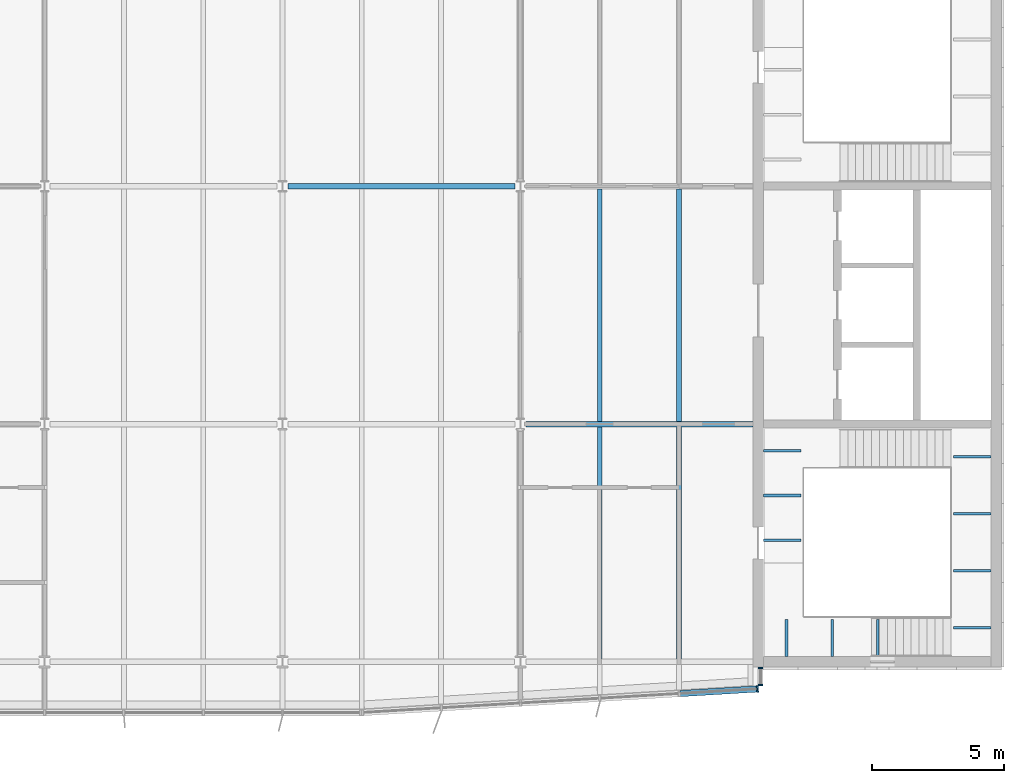
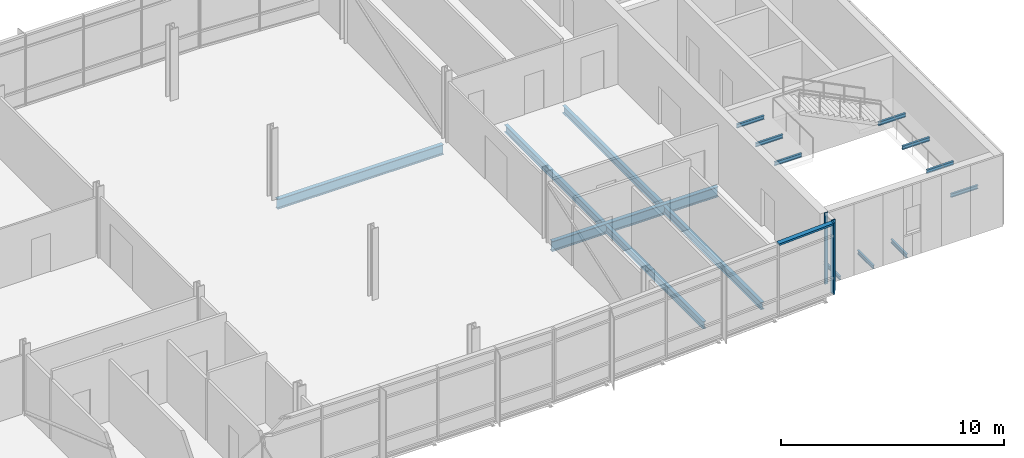
# One storey, part 6 of 20: 16 beams, 4 members, 2 elements without a shape of their own.
"""IFC4 building model written with IfcOpenShell, lengths in metres."""

from ifc_helpers import new_model, si_unit, direction, frame, origin, origin_2d, place, context, subcontext, project, spatial, rectangle, i_section, extrude, material, material_profile, profile_set, type_object, element, aggregate, save


model = new_model("IFC4")

# Units and contexts
model_context = context("Model", 3, precision=1e-05, world=origin(), true_north=direction((0.0, 1.0)))
body_context = subcontext(model_context, "Body", "Model", "MODEL_VIEW")
ifc_project = project(units=[si_unit("LENGTHUNIT", "METRE"), si_unit("AREAUNIT", "SQUARE_METRE"), si_unit("VOLUMEUNIT", "CUBIC_METRE"), si_unit("PLANEANGLEUNIT", "RADIAN"), si_unit("MASSUNIT", "GRAM", prefix="KILO")], contexts=[model_context])

# Site, building, storey
site_placement = place(None, origin())
site = spatial("IfcSite", under=ifc_project, at=site_placement, CompositionType="ELEMENT")
building_placement = place(site_placement, origin())
building = spatial("IfcBuilding", under=site, at=building_placement, Name="Azimuth Sports and Learning Centre", CompositionType="ELEMENT")
storey_placement = place(building_placement, frame((0.0, 0.0, 44.10009765625)))
storey = spatial("IfcBuildingStorey", under=building, at=storey_placement, Name="L09", CompositionType="ELEMENT", Elevation=44.10009765625)

# Beams
ifc_material_1 = material(Name="Steel S355", Category="steel")
ifc_material_profile_1 = material_profile(ifc_material_1, i_section(OverallWidth=0.10009765625, OverallDepth=0.199951171875, WebThickness=0.005615234375, FlangeThickness=0.008544921875, FilletRadius=0.011962890625, at=origin_2d()), Name="IPE 200")
ifc_profile_set_1 = profile_set([ifc_material_profile_1], Name="Steel S355")
beam_type_1 = type_object("IfcBeamType", Name="Beam IPE 200", PredefinedType="BEAM", material=ifc_profile_set_1)
for number, where, z_axis, x_axis, name in (
    (1, (109.0732421875, 90.199951171875, -0.300048828125), (0.0, 1.0, 0.0), (-1.0, 0.0, 0.0), "Landing bracket E1 L09 445"),
    (2, (110.800048828125, 90.199951171875, -0.300048828125), (0.0, 1.0, 0.0), (-1.0, 0.0, 0.0), "Landing bracket E1 L09 446"),
    (3, (112.526611328125, 90.199951171875, -0.300048828125), (0.0, 1.0, 0.0), (-1.0, 0.0, 0.0), "Landing bracket E1 L09 447"),
    (4, (116.800048828125, 91.288818359375, 1.349853515625), (-1.0, 0.0, 0.0), (0.0, -1.0, 0.0), "Landing bracket E1 L09 448"),
    (5, (116.800048828125, 93.4462890625, 1.349853515625), (-1.0, 0.0, 0.0), (0.0, -1.0, 0.0), "Landing bracket E1 L09 449"),
    (6, (116.800048828125, 95.603759765625, 1.349853515625), (-1.0, 0.0, 0.0), (0.0, -1.0, 0.0), "Landing bracket E1 L09 450"),
    (7, (116.800048828125, 97.76123046875, 1.349853515625), (-1.0, 0.0, 0.0), (0.0, -1.0, 0.0), "Landing bracket E1 L09 451"),
    (8, (108.199951171875, 94.598388671875, 3.599853515625), (1.0, 0.0, 0.0), (0.0, 1.0, 0.0), "Landing bracket E1 L09 452"),
    (9, (108.199951171875, 96.294921875, 3.599853515625), (1.0, 0.0, 0.0), (0.0, 1.0, 0.0), "Landing bracket E1 L09 453"),
    (10, (108.199951171875, 97.99169921875, 3.599853515625), (1.0, 0.0, 0.0), (0.0, 1.0, 0.0), "Landing bracket E1 L09 454"),
):
    element("IfcBeam", number, at=place(storey_placement, frame(where, z_axis=z_axis, x_axis=x_axis)), inside=storey, type_object=beam_type_1, Name=name, PredefinedType="BEAM", context=body_context, shape_type="SweptSolid", body=[
        extrude(i_section(OverallWidth=0.10009765625, OverallDepth=0.199951171875, WebThickness=0.005615234375, FlangeThickness=0.008544921875, FilletRadius=0.011962890625, at=origin_2d()), origin(), (0.0, 0.0, 1.0), 1.41015625),
    ])
ifc_material_2 = material(Name="Steel S355", Category="steel")
ifc_material_profile_2 = material_profile(ifc_material_2, i_section(OverallWidth=0.2099609375, OverallDepth=0.550048828125, WebThickness=0.010986328125, FlangeThickness=0.01708984375, FilletRadius=0.02392578125, at=origin_2d()), Name="IPE 550")
ifc_profile_set_2 = profile_set([ifc_material_profile_2], Name="Steel S355")
beam_type_2 = type_object("IfcBeamType", Name="Beam IPE 550", PredefinedType="BEAM", material=ifc_profile_set_2)
beam_1_placement = place(storey_placement, frame((99.2060546875, 99.0, -0.405029296875), z_axis=(1.0, 0.0, 0.0), x_axis=(0.0, 1.0, 0.0)))
element("IfcBeam", 11, at=beam_1_placement, inside=storey, type_object=beam_type_2, Name="Tower girder L09", PredefinedType="BEAM", context=body_context, shape_type="SweptSolid", body=[
    extrude(i_section(OverallWidth=0.2099609375, OverallDepth=0.550048828125, WebThickness=0.010986328125, FlangeThickness=0.01708984375, FilletRadius=0.02392578125, at=origin_2d()), origin(), (0.0, 0.0, 1.0), 8.593994140625),
])
beam_2_placement = place(storey_placement, frame((90.2060546875, 108.0, -0.405029296875), z_axis=(1.0, 0.0, 0.0), x_axis=(0.0, 1.0, 0.0)))
element("IfcBeam", 12, at=beam_2_placement, inside=storey, type_object=beam_type_2, Name="Tower girder L09", PredefinedType="BEAM", context=body_context, shape_type="SweptSolid", body=[
    extrude(i_section(OverallWidth=0.2099609375, OverallDepth=0.550048828125, WebThickness=0.010986328125, FlangeThickness=0.01708984375, FilletRadius=0.02392578125, at=origin_2d()), origin(), (0.0, 0.0, 1.0), 8.587890625),
])
ifc_material_3 = material(Name="Steel S355", Category="steel")
ifc_material_profile_3 = material_profile(ifc_material_3, i_section(OverallWidth=0.179931640625, OverallDepth=0.39990234375, WebThickness=0.008544921875, FlangeThickness=0.013427734375, FilletRadius=0.02099609375, at=origin_2d()), Name="IPE 400")
ifc_profile_set_3 = profile_set([ifc_material_profile_3], Name="Steel S355")
beam_type_3 = type_object("IfcBeamType", Name="Joist IPE 400", PredefinedType="JOIST", material=ifc_profile_set_3)
for number, where, z_axis, x_axis, name in (
    (13, (102.0, 90.10498046875, -0.330078125), (0.0, 1.0, 0.0), (-1.0, 0.0, 0.0), "Tower joist"),
    (14, (102.0, 99.10498046875, -0.330078125), (0.0, 1.0, 0.0), (-1.0, 0.0, 0.0), "Tower joist"),
    (15, (105.0, 90.10498046875, -0.330078125), (0.0, 1.0, 0.0), (-1.0, 0.0, 0.0), "Tower joist"),
    (16, (105.0, 99.10498046875, -0.330078125), (0.0, 1.0, 0.0), (-1.0, 0.0, 0.0), "Tower joist"),
):
    element("IfcBeam", number, at=place(storey_placement, frame(where, z_axis=z_axis, x_axis=x_axis)), inside=storey, type_object=beam_type_3, Name=name, PredefinedType="JOIST", context=body_context, shape_type="SweptSolid", body=[
        extrude(i_section(OverallWidth=0.179931640625, OverallDepth=0.39990234375, WebThickness=0.008544921875, FlangeThickness=0.013427734375, FilletRadius=0.02099609375, at=origin_2d()), origin(), (0.0, 0.0, 1.0), 8.7900390625),
    ])

# Curtain wall, members
ifc_material_4 = material(Name="Aluminium and glass", Category="aluminium")
curtain_wall_type_1 = type_object("IfcCurtainWallType", Name="Curtain wall tower return 180", PredefinedType="NOTDEFINED", material=ifc_material_4)
curtain_wall_1_placement = place(storey_placement, origin())
curtain_wall_1 = element("IfcCurtainWall", 17, at=curtain_wall_1_placement, inside=storey, type_object=curtain_wall_type_1, Name="Curtain wall CW09-005", PredefinedType="NOTDEFINED")
ifc_material_5 = material(Name="Aluminium", Category="aluminium")
ifc_material_profile_4 = material_profile(ifc_material_5, rectangle(XDim=0.179931640625, YDim=0.06005859375, at=origin_2d()), Name="Mullion 60x180")
ifc_profile_set_4 = profile_set([ifc_material_profile_4], Name="Aluminium")
member_type_1 = type_object("IfcMemberType", Name="Mullion 60x180", PredefinedType="MULLION", material=ifc_profile_set_4)
member_1_placement = place(storey_placement, frame((108.090087890625, 89.1298828125, 0.0), z_axis=(0.0, 0.0, 1.0), x_axis=(-1.0, 0.0, 0.0)))
member_1 = element("IfcMember", 18, at=member_1_placement, type_object=member_type_1, Name="CW09-005 mullion 1", PredefinedType="MULLION", context=body_context, shape_type="SweptSolid", body=[
    extrude(rectangle(XDim=0.179931640625, YDim=0.06005859375, at=origin_2d()), origin(), (0.0, 0.0, 1.0), 3.89990234375),
])
member_2_placement = place(storey_placement, frame((108.090087890625, 89.77001953125, 0.0), z_axis=(0.0, 0.0, 1.0), x_axis=(-1.0, 0.0, 0.0)))
member_2 = element("IfcMember", 19, at=member_2_placement, type_object=member_type_1, Name="CW09-005 mullion 2", PredefinedType="MULLION", context=body_context, shape_type="SweptSolid", body=[
    extrude(rectangle(XDim=0.179931640625, YDim=0.06005859375, at=origin_2d()), origin(), (0.0, 0.0, 1.0), 3.89990234375),
])
aggregate(curtain_wall_1, [member_1, member_2])

ifc_material_6 = material(Name="Aluminium and glass", Category="aluminium")
curtain_wall_type_2 = type_object("IfcCurtainWallType", Name="Curtain wall tower south 240", PredefinedType="NOTDEFINED", material=ifc_material_6)
curtain_wall_2_placement = place(storey_placement, origin())
curtain_wall_2 = element("IfcCurtainWall", 20, at=curtain_wall_2_placement, inside=storey, type_object=curtain_wall_type_2, Name="Curtain wall CW09-004", PredefinedType="NOTDEFINED")
ifc_material_7 = material(Name="Aluminium", Category="aluminium")
ifc_material_profile_5 = material_profile(ifc_material_7, rectangle(XDim=0.239990234375, YDim=0.070068359375, at=origin_2d()), Name="Mullion 70x240")
ifc_profile_set_5 = profile_set([ifc_material_profile_5], Name="Aluminium")
member_type_2 = type_object("IfcMemberType", Name="Mullion 70x240", PredefinedType="MULLION", material=ifc_profile_set_5)
member_3_placement = place(storey_placement, frame((107.97216796875, 88.97802734375, 0.0), z_axis=(0.0, 0.0, 1.0), x_axis=(-0.059891991812, 0.998204863401, 0.0)))
member_3 = element("IfcMember", 21, at=member_3_placement, type_object=member_type_2, Name="CW09-004 mullion 6", PredefinedType="MULLION", context=body_context, shape_type="SweptSolid", body=[
    extrude(rectangle(XDim=0.239990234375, YDim=0.070068359375, at=origin_2d()), origin(), (0.0, 0.0, 1.0), 3.89990234375),
])
ifc_material_8 = material(Name="Aluminium", Category="aluminium")
ifc_material_profile_6 = material_profile(ifc_material_8, rectangle(XDim=0.239990234375, YDim=0.10009765625, at=origin_2d()), Name="Transom 100x240")
ifc_profile_set_6 = profile_set([ifc_material_profile_6], Name="Aluminium")
member_type_3 = type_object("IfcMemberType", Name="Transom 100x240", PredefinedType="USERDEFINED", material=ifc_profile_set_6)
member_4_placement = place(storey_placement, frame((105.042236328125, 88.80224609375, 3.849853515625), z_axis=(0.998202227529, 0.059935907067, 0.0), x_axis=(-0.059935907067, 0.998202227529, 0.0)))
member_4 = element("IfcMember", 22, at=member_4_placement, type_object=member_type_3, Name="CW09-004 transom 5.4", ObjectType="TRANSOM", PredefinedType="USERDEFINED", context=body_context, shape_type="SweptSolid", body=[
    extrude(rectangle(XDim=0.239990234375, YDim=0.10009765625, at=origin_2d()), origin(), (0.0, 0.0, 1.0), 2.900146484375),
])
aggregate(curtain_wall_2, [member_3, member_4])

save(model, "model.ifc")
